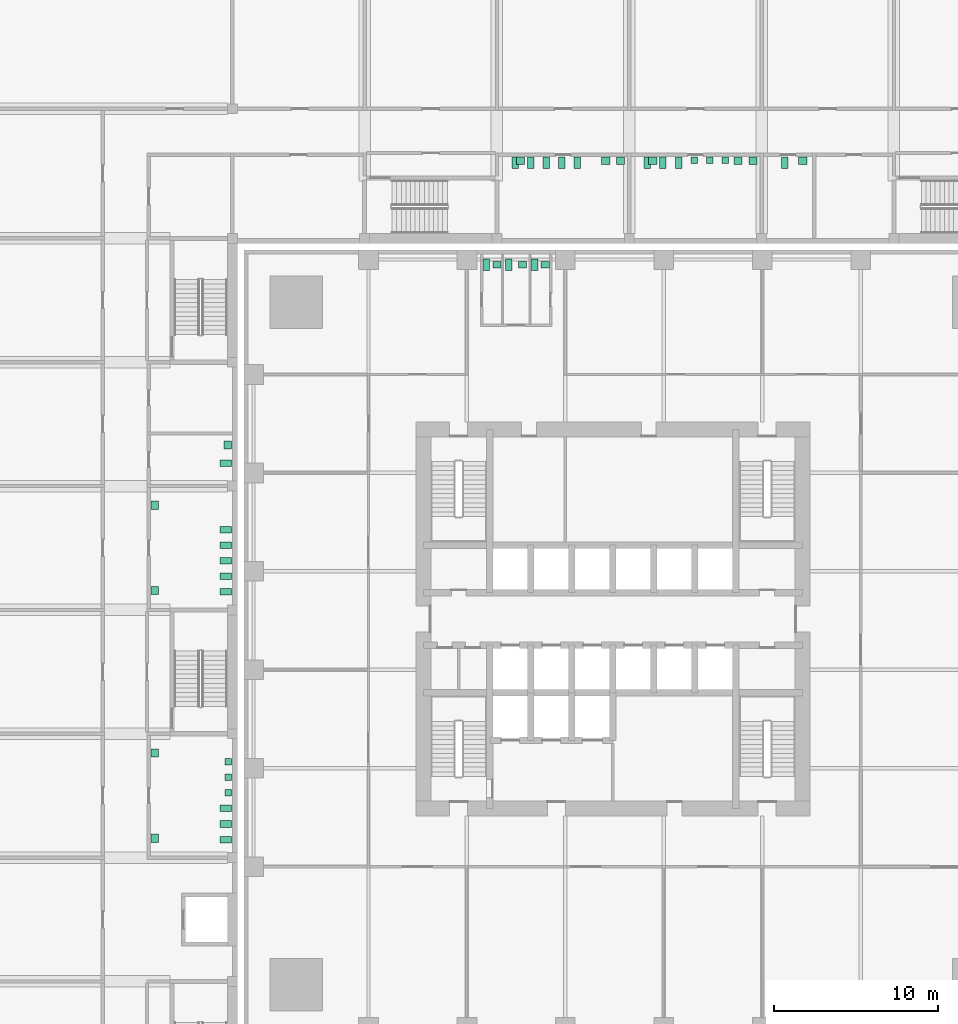
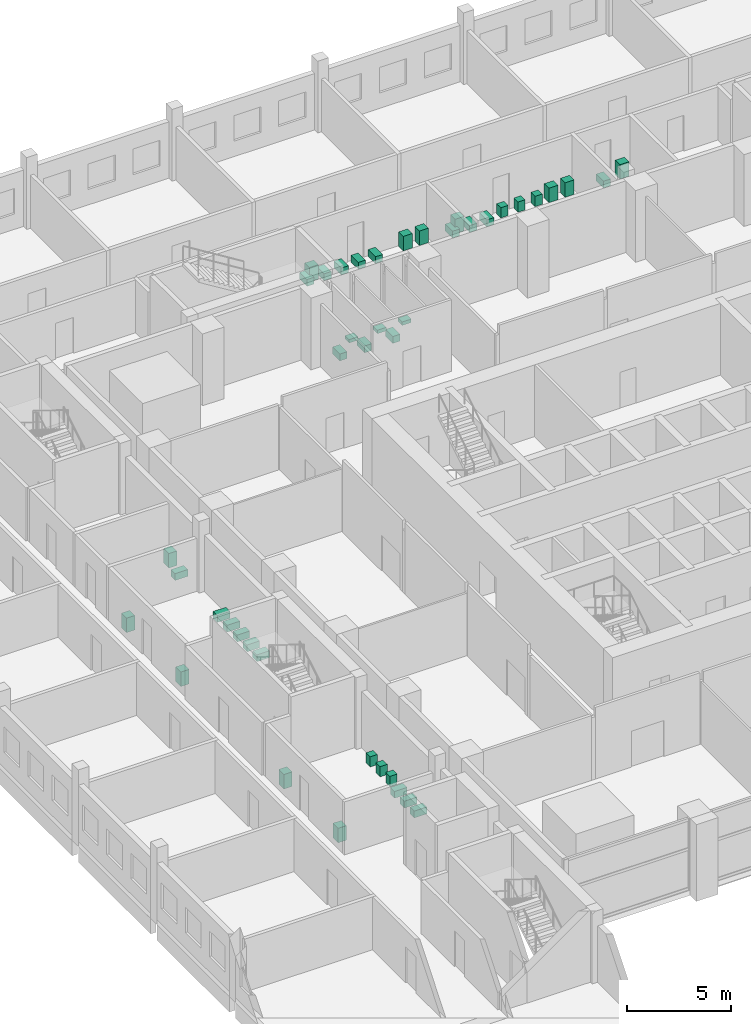
# One storey, part 34 of 34: 42 sanitary terminals.
"""IFC4 building model written with IfcOpenShell, lengths in metres."""

from ifc_helpers import new_model, si_unit, direction, frame, origin, origin_2d, place, context, subcontext, project, spatial, rectangle, extrude, element, save


model = new_model("IFC4")

# Units and contexts
model_context = context("Model", 3, precision=1e-05, world=origin(), true_north=direction((0.0, 1.0)))
body_context = subcontext(model_context, "Body", "Model", "MODEL_VIEW")
ifc_project = project(units=[si_unit("LENGTHUNIT", "METRE"), si_unit("AREAUNIT", "SQUARE_METRE"), si_unit("VOLUMEUNIT", "CUBIC_METRE"), si_unit("PLANEANGLEUNIT", "RADIAN"), si_unit("MASSUNIT", "GRAM", prefix="KILO")], contexts=[model_context])

# Site, building, storey
site_placement = place(None, origin())
site = spatial("IfcSite", under=ifc_project, at=site_placement, CompositionType="ELEMENT")
building_placement = place(site_placement, origin())
building = spatial("IfcBuilding", under=site, at=building_placement, Name="Amberfall Residences", CompositionType="ELEMENT")
storey_placement = place(building_placement, frame((0.0, 0.0, 5.5)))
storey = spatial("IfcBuildingStorey", under=building, at=storey_placement, Name="L01", CompositionType="ELEMENT", Elevation=5.5)

# Sanitary terminals
sanitary_terminal_1_placement = place(storey_placement, frame((66.780029296875, 67.10009765625, 0.0), z_axis=(0.0, 0.0, 1.0), x_axis=(1.0, 0.0, 0.0)))
element("IfcSanitaryTerminal", 1, at=sanitary_terminal_1_placement, inside=storey, Name="WC pan Gents WC L01", PredefinedType="TOILETPAN", context=body_context, shape_type="SweptSolid", body=[
    extrude(rectangle(XDim=0.39990234375, YDim=0.699951171875, at=origin_2d()), origin(), (0.0, 0.0, 1.0), 0.39990234375),
])
sanitary_terminal_2_placement = place(storey_placement, frame((67.429931640625, 67.10009765625, 0.75), z_axis=(0.0, 0.0, 1.0), x_axis=(1.0, 0.0, 0.0)))
element("IfcSanitaryTerminal", 2, at=sanitary_terminal_2_placement, inside=storey, Name="Wash basin Gents WC L01", PredefinedType="WASHHANDBASIN", context=body_context, shape_type="SweptSolid", body=[
    extrude(rectangle(XDim=0.5, YDim=0.39990234375, at=origin_2d()), origin(), (0.0, 0.0, 1.0), 0.199951171875),
])
sanitary_terminal_3_placement = place(storey_placement, frame((68.14501953125, 67.10009765625, 0.0), z_axis=(0.0, 0.0, 1.0), x_axis=(1.0, 0.0, 0.0)))
element("IfcSanitaryTerminal", 3, at=sanitary_terminal_3_placement, inside=storey, Name="WC pan Accessible WC L01", PredefinedType="TOILETPAN", context=body_context, shape_type="SweptSolid", body=[
    extrude(rectangle(XDim=0.39990234375, YDim=0.699951171875, at=origin_2d()), origin(), (0.0, 0.0, 1.0), 0.39990234375),
])
sanitary_terminal_4_placement = place(storey_placement, frame((68.989990234375, 67.10009765625, 0.75), z_axis=(0.0, 0.0, 1.0), x_axis=(1.0, 0.0, 0.0)))
element("IfcSanitaryTerminal", 4, at=sanitary_terminal_4_placement, inside=storey, Name="Wash basin Accessible WC L01", PredefinedType="WASHHANDBASIN", context=body_context, shape_type="SweptSolid", body=[
    extrude(rectangle(XDim=0.5, YDim=0.39990234375, at=origin_2d()), origin(), (0.0, 0.0, 1.0), 0.199951171875),
])
sanitary_terminal_5_placement = place(storey_placement, frame((69.719970703125, 67.10009765625, 0.0), z_axis=(0.0, 0.0, 1.0), x_axis=(1.0, 0.0, 0.0)))
element("IfcSanitaryTerminal", 5, at=sanitary_terminal_5_placement, inside=storey, Name="WC pan Ladies WC L01", PredefinedType="TOILETPAN", context=body_context, shape_type="SweptSolid", body=[
    extrude(rectangle(XDim=0.39990234375, YDim=0.699951171875, at=origin_2d()), origin(), (0.0, 0.0, 1.0), 0.39990234375),
])
sanitary_terminal_6_placement = place(storey_placement, frame((70.3701171875, 67.10009765625, 0.75), z_axis=(0.0, 0.0, 1.0), x_axis=(1.0, 0.0, 0.0)))
element("IfcSanitaryTerminal", 6, at=sanitary_terminal_6_placement, inside=storey, Name="Wash basin Ladies WC L01", PredefinedType="WASHHANDBASIN", context=body_context, shape_type="SweptSolid", body=[
    extrude(rectangle(XDim=0.5, YDim=0.39990234375, at=origin_2d()), origin(), (0.0, 0.0, 1.0), 0.199951171875),
])
for number, where, z_axis, x_axis, name in (
    (7, (50.89990234375, 32.050048828125, 0.0), (0.0, 0.0, 1.0), (1.0, 0.0, 0.0), "Water closet"),
    (8, (50.89990234375, 33.0, 0.0), (0.0, 0.0, 1.0), (1.0, 0.0, 0.0), "Water closet"),
    (9, (50.89990234375, 33.949951171875, 0.0), (0.0, 0.0, 1.0), (1.0, 0.0, 0.0), "Water closet"),
):
    element("IfcSanitaryTerminal", number, at=place(storey_placement, frame(where, z_axis=z_axis, x_axis=x_axis)), inside=storey, Name=name, PredefinedType="TOILETPAN", context=body_context, shape_type="SweptSolid", body=[
        extrude(rectangle(XDim=0.699951171875, YDim=0.39990234375, at=origin_2d()), origin(), (0.0, 0.0, 1.0), 0.39990234375),
    ])
for number, where, z_axis, x_axis, name in (
    (10, (51.050048828125, 34.89990234375, 0.0), (0.0, 0.0, 1.0), (1.0, 0.0, 0.0), "Urinal"),
    (11, (51.050048828125, 35.85009765625, 0.0), (0.0, 0.0, 1.0), (1.0, 0.0, 0.0), "Urinal"),
    (12, (51.050048828125, 36.800048828125, 0.0), (0.0, 0.0, 1.0), (1.0, 0.0, 0.0), "Urinal"),
):
    element("IfcSanitaryTerminal", number, at=place(storey_placement, frame(where, z_axis=z_axis, x_axis=x_axis)), inside=storey, Name=name, PredefinedType="URINAL", context=body_context, shape_type="SweptSolid", body=[
        extrude(rectangle(XDim=0.39990234375, YDim=0.39990234375, at=origin_2d()), origin(), (0.0, 0.0, 1.0), 0.60009765625),
    ])
for number, where, z_axis, x_axis, name in (
    (13, (46.574951171875, 32.125, 0.0), (0.0, 0.0, 1.0), (1.0, 0.0, 0.0), "Basin"),
    (14, (46.574951171875, 37.324951171875, 0.0), (0.0, 0.0, 1.0), (1.0, 0.0, 0.0), "Basin"),
):
    element("IfcSanitaryTerminal", number, at=place(storey_placement, frame(where, z_axis=z_axis, x_axis=x_axis)), inside=storey, Name=name, PredefinedType="WASHHANDBASIN", context=body_context, shape_type="SweptSolid", body=[
        extrude(rectangle(XDim=0.449951171875, YDim=0.5, at=origin_2d()), origin(), (0.0, 0.0, 1.0), 0.85009765625),
    ])
for number, where, z_axis, x_axis, name in (
    (15, (50.89990234375, 47.14990234375, 0.0), (0.0, 0.0, 1.0), (1.0, 0.0, 0.0), "Water closet"),
    (16, (50.89990234375, 48.10009765625, 0.0), (0.0, 0.0, 1.0), (1.0, 0.0, 0.0), "Water closet"),
    (17, (50.89990234375, 49.050048828125, 0.0), (0.0, 0.0, 1.0), (1.0, 0.0, 0.0), "Water closet"),
    (18, (50.89990234375, 50.0, 0.0), (0.0, 0.0, 1.0), (1.0, 0.0, 0.0), "Water closet"),
    (19, (50.89990234375, 50.949951171875, 0.0), (0.0, 0.0, 1.0), (1.0, 0.0, 0.0), "Water closet"),
):
    element("IfcSanitaryTerminal", number, at=place(storey_placement, frame(where, z_axis=z_axis, x_axis=x_axis)), inside=storey, Name=name, PredefinedType="TOILETPAN", context=body_context, shape_type="SweptSolid", body=[
        extrude(rectangle(XDim=0.699951171875, YDim=0.39990234375, at=origin_2d()), origin(), (0.0, 0.0, 1.0), 0.39990234375),
    ])
for number, where, z_axis, x_axis, name in (
    (20, (46.574951171875, 47.22509765625, 0.0), (0.0, 0.0, 1.0), (1.0, 0.0, 0.0), "Basin"),
    (21, (46.574951171875, 52.425048828125, 0.0), (0.0, 0.0, 1.0), (1.0, 0.0, 0.0), "Basin"),
):
    element("IfcSanitaryTerminal", number, at=place(storey_placement, frame(where, z_axis=z_axis, x_axis=x_axis)), inside=storey, Name=name, PredefinedType="WASHHANDBASIN", context=body_context, shape_type="SweptSolid", body=[
        extrude(rectangle(XDim=0.449951171875, YDim=0.5, at=origin_2d()), origin(), (0.0, 0.0, 1.0), 0.85009765625),
    ])
sanitary_terminal_7_placement = place(storey_placement, frame((50.89990234375, 55.0, 0.0), z_axis=(0.0, 0.0, 1.0), x_axis=(1.0, 0.0, 0.0)))
element("IfcSanitaryTerminal", 22, at=sanitary_terminal_7_placement, inside=storey, Name="Water closet", PredefinedType="TOILETPAN", context=body_context, shape_type="SweptSolid", body=[
    extrude(rectangle(XDim=0.699951171875, YDim=0.39990234375, at=origin_2d()), origin(), (0.0, 0.0, 1.0), 0.39990234375),
])
sanitary_terminal_8_placement = place(storey_placement, frame((51.02490234375, 56.10009765625, 0.0), z_axis=(0.0, 0.0, 1.0), x_axis=(1.0, 0.0, 0.0)))
element("IfcSanitaryTerminal", 23, at=sanitary_terminal_8_placement, inside=storey, Name="Basin", PredefinedType="WASHHANDBASIN", context=body_context, shape_type="SweptSolid", body=[
    extrude(rectangle(XDim=0.449951171875, YDim=0.5, at=origin_2d()), origin(), (0.0, 0.0, 1.0), 0.85009765625),
])
for number, where, z_axis, x_axis, name in (
    (24, (68.532958984375, 73.300048828125, 0.0), (0.0, 0.0, 1.0), (1.0, 0.0, 0.0), "Water closet"),
    (25, (69.48291015625, 73.300048828125, 0.0), (0.0, 0.0, 1.0), (1.0, 0.0, 0.0), "Water closet"),
    (26, (70.43310546875, 73.300048828125, 0.0), (0.0, 0.0, 1.0), (1.0, 0.0, 0.0), "Water closet"),
    (27, (71.383056640625, 73.300048828125, 0.0), (0.0, 0.0, 1.0), (1.0, 0.0, 0.0), "Water closet"),
    (28, (72.3330078125, 73.300048828125, 0.0), (0.0, 0.0, 1.0), (1.0, 0.0, 0.0), "Water closet"),
):
    element("IfcSanitaryTerminal", number, at=place(storey_placement, frame(where, z_axis=z_axis, x_axis=x_axis)), inside=storey, Name=name, PredefinedType="TOILETPAN", context=body_context, shape_type="SweptSolid", body=[
        extrude(rectangle(XDim=0.39990234375, YDim=0.699951171875, at=origin_2d()), origin(), (0.0, 0.0, 1.0), 0.39990234375),
    ])
for number, where, z_axis, x_axis, name in (
    (29, (68.866455078125, 73.425048828125, 0.0), (0.0, 0.0, 1.0), (1.0, 0.0, 0.0), "Basin"),
    (30, (74.06640625, 73.425048828125, 0.0), (0.0, 0.0, 1.0), (1.0, 0.0, 0.0), "Basin"),
    (31, (74.966552734375, 73.425048828125, 0.0), (0.0, 0.0, 1.0), (1.0, 0.0, 0.0), "Basin"),
):
    element("IfcSanitaryTerminal", number, at=place(storey_placement, frame(where, z_axis=z_axis, x_axis=x_axis)), inside=storey, Name=name, PredefinedType="WASHHANDBASIN", context=body_context, shape_type="SweptSolid", body=[
        extrude(rectangle(XDim=0.5, YDim=0.449951171875, at=origin_2d()), origin(), (0.0, 0.0, 1.0), 0.85009765625),
    ])
for number, where, z_axis, x_axis, name in (
    (32, (76.60009765625, 73.300048828125, 0.0), (0.0, 0.0, 1.0), (1.0, 0.0, 0.0), "Water closet"),
    (33, (77.550048828125, 73.300048828125, 0.0), (0.0, 0.0, 1.0), (1.0, 0.0, 0.0), "Water closet"),
    (34, (78.5, 73.300048828125, 0.0), (0.0, 0.0, 1.0), (1.0, 0.0, 0.0), "Water closet"),
):
    element("IfcSanitaryTerminal", number, at=place(storey_placement, frame(where, z_axis=z_axis, x_axis=x_axis)), inside=storey, Name=name, PredefinedType="TOILETPAN", context=body_context, shape_type="SweptSolid", body=[
        extrude(rectangle(XDim=0.39990234375, YDim=0.699951171875, at=origin_2d()), origin(), (0.0, 0.0, 1.0), 0.39990234375),
    ])
for number, where, z_axis, x_axis, name in (
    (35, (79.449951171875, 73.449951171875, 0.0), (0.0, 0.0, 1.0), (1.0, 0.0, 0.0), "Urinal"),
    (36, (80.39990234375, 73.449951171875, 0.0), (0.0, 0.0, 1.0), (1.0, 0.0, 0.0), "Urinal"),
    (37, (81.35009765625, 73.449951171875, 0.0), (0.0, 0.0, 1.0), (1.0, 0.0, 0.0), "Urinal"),
):
    element("IfcSanitaryTerminal", number, at=place(storey_placement, frame(where, z_axis=z_axis, x_axis=x_axis)), inside=storey, Name=name, PredefinedType="URINAL", context=body_context, shape_type="SweptSolid", body=[
        extrude(rectangle(XDim=0.39990234375, YDim=0.39990234375, at=origin_2d()), origin(), (0.0, 0.0, 1.0), 0.60009765625),
    ])
for number, where, z_axis, x_axis, name in (
    (38, (76.93359375, 73.425048828125, 0.0), (0.0, 0.0, 1.0), (1.0, 0.0, 0.0), "Basin"),
    (39, (82.133544921875, 73.425048828125, 0.0), (0.0, 0.0, 1.0), (1.0, 0.0, 0.0), "Basin"),
    (40, (83.033447265625, 73.425048828125, 0.0), (0.0, 0.0, 1.0), (1.0, 0.0, 0.0), "Basin"),
):
    element("IfcSanitaryTerminal", number, at=place(storey_placement, frame(where, z_axis=z_axis, x_axis=x_axis)), inside=storey, Name=name, PredefinedType="WASHHANDBASIN", context=body_context, shape_type="SweptSolid", body=[
        extrude(rectangle(XDim=0.5, YDim=0.449951171875, at=origin_2d()), origin(), (0.0, 0.0, 1.0), 0.85009765625),
    ])
sanitary_terminal_9_placement = place(storey_placement, frame((84.967041015625, 73.300048828125, 0.0), z_axis=(0.0, 0.0, 1.0), x_axis=(1.0, 0.0, 0.0)))
element("IfcSanitaryTerminal", 41, at=sanitary_terminal_9_placement, inside=storey, Name="Water closet", PredefinedType="TOILETPAN", context=body_context, shape_type="SweptSolid", body=[
    extrude(rectangle(XDim=0.39990234375, YDim=0.699951171875, at=origin_2d()), origin(), (0.0, 0.0, 1.0), 0.39990234375),
])
sanitary_terminal_10_placement = place(storey_placement, frame((86.06689453125, 73.425048828125, 0.0), z_axis=(0.0, 0.0, 1.0), x_axis=(1.0, 0.0, 0.0)))
element("IfcSanitaryTerminal", 42, at=sanitary_terminal_10_placement, inside=storey, Name="Basin", PredefinedType="WASHHANDBASIN", context=body_context, shape_type="SweptSolid", body=[
    extrude(rectangle(XDim=0.5, YDim=0.449951171875, at=origin_2d()), origin(), (0.0, 0.0, 1.0), 0.85009765625),
])

save(model, "model.ifc")
